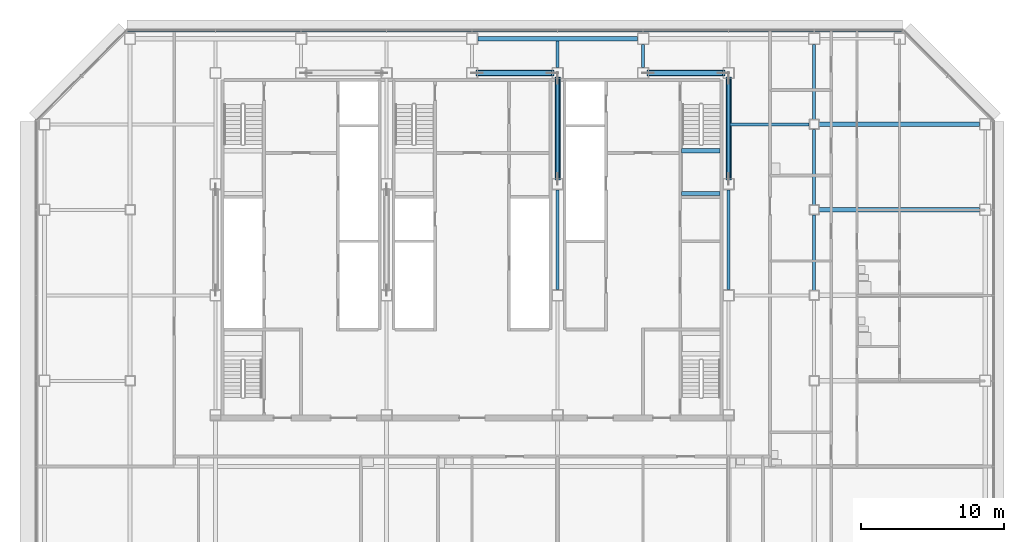
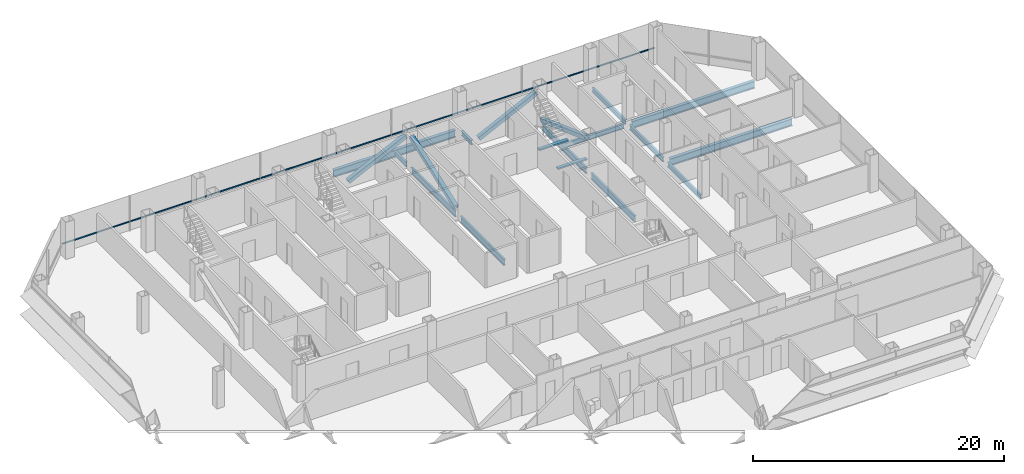
# One storey, part 13 of 26: 15 beams, 5 members, 1 element without a shape of its own.
"""IFC4 building model written with IfcOpenShell, lengths in metres."""

from ifc_helpers import new_model, si_unit, direction, frame, origin, origin_2d, place, context, subcontext, project, spatial, rectangle, hollow_rectangle, i_section, extrude, material, material_profile, profile_set, type_object, element, aggregate, save


model = new_model("IFC4")

# Units and contexts
model_context = context("Model", 3, precision=1e-05, world=origin(), true_north=direction((0.0, 1.0)))
body_context = subcontext(model_context, "Body", "Model", "MODEL_VIEW")
ifc_project = project(units=[si_unit("LENGTHUNIT", "METRE"), si_unit("AREAUNIT", "SQUARE_METRE"), si_unit("VOLUMEUNIT", "CUBIC_METRE"), si_unit("PLANEANGLEUNIT", "RADIAN"), si_unit("MASSUNIT", "GRAM", prefix="KILO")], contexts=[model_context])

# Site, building, storey
site_placement = place(None, origin())
site = spatial("IfcSite", under=ifc_project, at=site_placement, CompositionType="ELEMENT")
building_placement = place(site_placement, origin())
building = spatial("IfcBuilding", under=site, at=building_placement, Name="Sorahane Residences", CompositionType="ELEMENT")
storey_placement = place(building_placement, frame((0.0, 0.0, 110.60009765625)))
storey = spatial("IfcBuildingStorey", under=building, at=storey_placement, Name="L24", CompositionType="ELEMENT", Elevation=110.60009765625)

# Members
ifc_material_1 = material(Name="Steel Q355B", Category="steel")
ifc_material_profile_1 = material_profile(ifc_material_1, hollow_rectangle(XDim=0.39990234375, YDim=0.39990234375, WallThickness=0.02001953125, InnerFilletRadius=0.010009765625, OuterFilletRadius=0.030029296875, at=origin_2d()), Name="RHS 400x400x20")
ifc_profile_set_1 = profile_set([ifc_material_profile_1], Name="Steel Q355B")
member_type_1 = type_object("IfcMemberType", Name="Core brace RHS 400x400x20 Q355B", PredefinedType="BRACE", material=ifc_profile_set_1)
for number, where, z_axis, x_axis, name in (
    (1, (24.347412109375, 45.60009765625, 0.17431640625), (0.899224529182, 0.0, 0.437487423954), (0.0, 1.0, 0.0), "Core brace L24 y45.6-4"),
    (2, (36.347412109375, 45.60009765625, 0.17431640625), (0.899224529182, 0.0, 0.437487423954), (0.0, 1.0, 0.0), "Core brace L24 y45.6-6"),
):
    element("IfcMember", number, at=place(storey_placement, frame(where, z_axis=z_axis, x_axis=x_axis)), inside=storey, type_object=member_type_1, Name=name, PredefinedType="BRACE", context=body_context, shape_type="SweptSolid", body=[
        extrude(hollow_rectangle(XDim=0.39990234375, YDim=0.39990234375, WallThickness=0.02001953125, InnerFilletRadius=0.010009765625, OuterFilletRadius=0.030029296875, at=origin_2d()), origin(), (0.0, 0.0, 1.0), 5.899658203125),
    ])
for number, where, z_axis, x_axis, name in (
    (3, (42.0, 45.24072265625, 0.18505859375), (0.0, -0.940454311489, 0.339920120032), (1.0, 0.0, 0.0), "Core brace L24 x42-3"),
    (4, (30.0, 38.1591796875, 0.18505859375), (0.0, 0.940454311489, 0.339920120032), (-1.0, 0.0, 0.0), "Core brace L24 x30-2"),
):
    element("IfcMember", number, at=place(storey_placement, frame(where, z_axis=z_axis, x_axis=x_axis)), inside=storey, type_object=member_type_1, Name=name, PredefinedType="BRACE", context=body_context, shape_type="SweptSolid", body=[
        extrude(hollow_rectangle(XDim=0.39990234375, YDim=0.39990234375, WallThickness=0.02001953125, InnerFilletRadius=0.010009765625, OuterFilletRadius=0.030029296875, at=origin_2d()), origin(), (0.0, 0.0, 1.0), 7.530029296875),
    ])

# Curtain wall, member
ifc_material_2 = material(Name="Dark low-e glass and black anodised aluminium", Category="aluminium")
curtain_wall_type = type_object("IfcCurtainWallType", Name="Curtain wall CW-1 Typical unitised wall", PredefinedType="NOTDEFINED", material=ifc_material_2)
curtain_wall_placement = place(storey_placement, origin())
curtain_wall = element("IfcCurtainWall", 5, at=curtain_wall_placement, inside=storey, type_object=curtain_wall_type, Name="CW-1 curtain wall L24 N1", PredefinedType="NOTDEFINED")
ifc_material_3 = material(Name="Black anodised aluminium", Category="aluminium")
ifc_material_profile_2 = material_profile(ifc_material_3, rectangle(XDim=0.10009765625, YDim=0.06005859375, at=origin_2d()), Name="Curtain wall transom CW-1 black anodised aluminium 60x100")
ifc_profile_set_2 = profile_set([ifc_material_profile_2], Name="Black anodised aluminium")
member_type_2 = type_object("IfcMemberType", Name="Curtain wall transom CW-1 black anodised aluminium 60x100", PredefinedType="USERDEFINED", material=ifc_profile_set_2)
member_placement = place(storey_placement, frame((54.198486328125, 48.530029296875, 0.89990234375), z_axis=(-1.0, 0.0, 0.0), x_axis=(0.0, -1.0, 0.0)))
member = element("IfcMember", 6, at=member_placement, type_object=member_type_2, Name="CW-1 transom L24 N1", ObjectType="TRANSOM", PredefinedType="USERDEFINED", context=body_context, shape_type="SweptSolid", body=[
    extrude(rectangle(XDim=0.10009765625, YDim=0.06005859375, at=origin_2d()), origin(), (0.0, 0.0, 1.0), 54.39697265625),
])
aggregate(curtain_wall, [member])

# Beams
ifc_material_4 = material(Name="Concrete C40", Category="concrete")
ifc_material_profile_3 = material_profile(ifc_material_4, rectangle(XDim=0.300048828125, YDim=0.139892578125, at=origin_2d()), Name="300x140")
ifc_profile_set_3 = profile_set([ifc_material_profile_3], Name="Concrete C40")
beam_type_1 = type_object("IfcBeamType", Name="RC landing beam 300 x 140 Concrete C40", PredefinedType="BEAM", material=ifc_profile_set_3)
for number, where, z_axis, x_axis, name in (
    (7, (38.699951171875, 37.14990234375, 1.52978515625), (1.0, 0.0, 0.0), (0.0, 1.0, 0.0), "Landing beam"),
    (8, (38.699951171875, 40.14990234375, 1.52978515625), (1.0, 0.0, 0.0), (0.0, 1.0, 0.0), "Landing beam"),
):
    element("IfcBeam", number, at=place(storey_placement, frame(where, z_axis=z_axis, x_axis=x_axis)), inside=storey, type_object=beam_type_1, Name=name, PredefinedType="BEAM", context=body_context, shape_type="SweptSolid", body=[
        extrude(rectangle(XDim=0.300048828125, YDim=0.139892578125, at=origin_2d()), origin(), (0.0, 0.0, 1.0), 2.699951171875),
    ])
ifc_material_5 = material(Name="Steel Q355B", Category="steel")
ifc_material_profile_4 = material_profile(ifc_material_5, i_section(OverallWidth=0.199951171875, OverallDepth=0.449951171875, WebThickness=0.009033203125, FlangeThickness=0.013916015625, FilletRadius=0.02001953125, at=origin_2d()), Name="HN 450x200x9x14")
ifc_profile_set_4 = profile_set([ifc_material_profile_4], Name="Steel Q355B")
beam_type_2 = type_object("IfcBeamType", Name="Steel floor beam HN 450x200x9x14 Q355B", PredefinedType="BEAM", material=ifc_profile_set_4)
beam_1_placement = place(storey_placement, frame((30.0, 46.0, -0.405029296875), z_axis=(0.0, 1.0, 0.0), x_axis=(-1.0, 0.0, 0.0)))
element("IfcBeam", 9, at=beam_1_placement, inside=storey, type_object=beam_type_2, Name="Beam L24 049", PredefinedType="BEAM", context=body_context, shape_type="SweptSolid", body=[
    extrude(i_section(OverallWidth=0.199951171875, OverallDepth=0.449951171875, WebThickness=0.009033203125, FlangeThickness=0.013916015625, FilletRadius=0.02001953125, at=origin_2d()), origin(), (0.0, 0.0, 1.0), 1.85009765625),
])
beam_2_placement = place(storey_placement, frame((36.0, 46.0, -0.405029296875), z_axis=(0.0, 1.0, 0.0), x_axis=(-1.0, 0.0, 0.0)))
element("IfcBeam", 10, at=beam_2_placement, inside=storey, type_object=beam_type_2, Name="Beam L24 051", PredefinedType="BEAM", context=body_context, shape_type="SweptSolid", body=[
    extrude(i_section(OverallWidth=0.199951171875, OverallDepth=0.449951171875, WebThickness=0.009033203125, FlangeThickness=0.013916015625, FilletRadius=0.02001953125, at=origin_2d()), origin(), (0.0, 0.0, 1.0), 1.60009765625),
])
for number, where, z_axis, x_axis, name in (
    (11, (48.0, 30.35009765625, -0.405029296875), (0.0, 1.0, 0.0), (-1.0, 0.0, 0.0), "Beam L24 061"),
    (12, (48.0, 36.35009765625, -0.405029296875), (0.0, 1.0, 0.0), (-1.0, 0.0, 0.0), "Beam L24 062"),
):
    element("IfcBeam", number, at=place(storey_placement, frame(where, z_axis=z_axis, x_axis=x_axis)), inside=storey, type_object=beam_type_2, Name=name, PredefinedType="BEAM", context=body_context, shape_type="SweptSolid", body=[
        extrude(i_section(OverallWidth=0.199951171875, OverallDepth=0.449951171875, WebThickness=0.009033203125, FlangeThickness=0.013916015625, FilletRadius=0.02001953125, at=origin_2d()), origin(), (0.0, 0.0, 1.0), 5.2998046875),
    ])
beam_3_placement = place(storey_placement, frame((48.0, 42.35009765625, -0.405029296875), z_axis=(0.0, 1.0, 0.0), x_axis=(-1.0, 0.0, 0.0)))
element("IfcBeam", 13, at=beam_3_placement, inside=storey, type_object=beam_type_2, Name="Beam L24 063", PredefinedType="BEAM", context=body_context, shape_type="SweptSolid", body=[
    extrude(i_section(OverallWidth=0.199951171875, OverallDepth=0.449951171875, WebThickness=0.009033203125, FlangeThickness=0.013916015625, FilletRadius=0.02001953125, at=origin_2d()), origin(), (0.0, 0.0, 1.0), 5.25),
])
beam_4_placement = place(storey_placement, frame((42.10009765625, 42.0, -0.405029296875), z_axis=(1.0, 0.0, 0.0), x_axis=(0.0, 1.0, 0.0)))
element("IfcBeam", 14, at=beam_4_placement, inside=storey, type_object=beam_type_2, Name="Beam L24 091", PredefinedType="BEAM", context=body_context, shape_type="SweptSolid", body=[
    extrude(i_section(OverallWidth=0.199951171875, OverallDepth=0.449951171875, WebThickness=0.009033203125, FlangeThickness=0.013916015625, FilletRadius=0.02001953125, at=origin_2d()), origin(), (0.0, 0.0, 1.0), 5.5498046875),
])
ifc_material_6 = material(Name="Steel Q355B", Category="steel")
ifc_material_profile_5 = material_profile(ifc_material_6, i_section(OverallWidth=0.199951171875, OverallDepth=0.60009765625, WebThickness=0.010986328125, FlangeThickness=0.01708984375, FilletRadius=0.02392578125, at=origin_2d()), Name="HN 600x200x11x17")
ifc_profile_set_5 = profile_set([ifc_material_profile_5], Name="Steel Q355B")
beam_type_3 = type_object("IfcBeamType", Name="Steel floor beam HN 600x200x11x17 Q355B", PredefinedType="BEAM", material=ifc_profile_set_5)
for number, where, z_axis, x_axis, name in (
    (15, (30.0, 30.39990234375, -0.47998046875), (0.0, 1.0, 0.0), (-1.0, 0.0, 0.0), "Beam L24 047"),
    (16, (30.0, 38.199951171875, -0.47998046875), (0.0, 1.0, 0.0), (-1.0, 0.0, 0.0), "Beam L24 048"),
    (17, (42.0, 30.39990234375, -0.47998046875), (0.0, 1.0, 0.0), (-1.0, 0.0, 0.0), "Beam L24 055"),
    (18, (42.0, 38.199951171875, -0.47998046875), (0.0, 1.0, 0.0), (-1.0, 0.0, 0.0), "Beam L24 056"),
):
    element("IfcBeam", number, at=place(storey_placement, frame(where, z_axis=z_axis, x_axis=x_axis)), inside=storey, type_object=beam_type_3, Name=name, PredefinedType="BEAM", context=body_context, shape_type="SweptSolid", body=[
        extrude(i_section(OverallWidth=0.199951171875, OverallDepth=0.60009765625, WebThickness=0.010986328125, FlangeThickness=0.01708984375, FilletRadius=0.02392578125, at=origin_2d()), origin(), (0.0, 0.0, 1.0), 7.0),
    ])
ifc_material_7 = material(Name="Steel Q355B", Category="steel")
ifc_material_profile_6 = material_profile(ifc_material_7, i_section(OverallWidth=0.300048828125, OverallDepth=0.699951171875, WebThickness=0.012939453125, FlangeThickness=0.02392578125, FilletRadius=0.028076171875, at=origin_2d()), Name="HN 700x300x13x24")
ifc_profile_set_6 = profile_set([ifc_material_profile_6], Name="Steel Q355B")
beam_type_4 = type_object("IfcBeamType", Name="Steel floor beam HN 700x300x13x24 Q355B", PredefinedType="BEAM", material=ifc_profile_set_6)
beam_5_placement = place(storey_placement, frame((48.35009765625, 36.0, -0.530029296875), z_axis=(1.0, 0.0, 0.0), x_axis=(0.0, 1.0, 0.0)))
element("IfcBeam", 19, at=beam_5_placement, inside=storey, type_object=beam_type_4, Name="Beam L24 014", PredefinedType="BEAM", context=body_context, shape_type="SweptSolid", body=[
    extrude(i_section(OverallWidth=0.300048828125, OverallDepth=0.699951171875, WebThickness=0.012939453125, FlangeThickness=0.02392578125, FilletRadius=0.028076171875, at=origin_2d()), origin(), (0.0, 0.0, 1.0), 11.25),
])
beam_6_placement = place(storey_placement, frame((24.39990234375, 48.0, -0.530029296875), z_axis=(1.0, 0.0, 0.0), x_axis=(0.0, 1.0, 0.0)))
element("IfcBeam", 20, at=beam_6_placement, inside=storey, type_object=beam_type_4, Name="Beam L24 017", PredefinedType="BEAM", context=body_context, shape_type="SweptSolid", body=[
    extrude(i_section(OverallWidth=0.300048828125, OverallDepth=0.699951171875, WebThickness=0.012939453125, FlangeThickness=0.02392578125, FilletRadius=0.028076171875, at=origin_2d()), origin(), (0.0, 0.0, 1.0), 11.2001953125),
])
beam_7_placement = place(storey_placement, frame((48.35009765625, 42.0, -0.530029296875), z_axis=(1.0, 0.0, 0.0), x_axis=(0.0, 1.0, 0.0)))
element("IfcBeam", 21, at=beam_7_placement, inside=storey, type_object=beam_type_4, Name="Beam L24 092", PredefinedType="BEAM", context=body_context, shape_type="SweptSolid", body=[
    extrude(i_section(OverallWidth=0.300048828125, OverallDepth=0.699951171875, WebThickness=0.012939453125, FlangeThickness=0.02392578125, FilletRadius=0.028076171875, at=origin_2d()), origin(), (0.0, 0.0, 1.0), 11.25),
])

save(model, "model.ifc")
